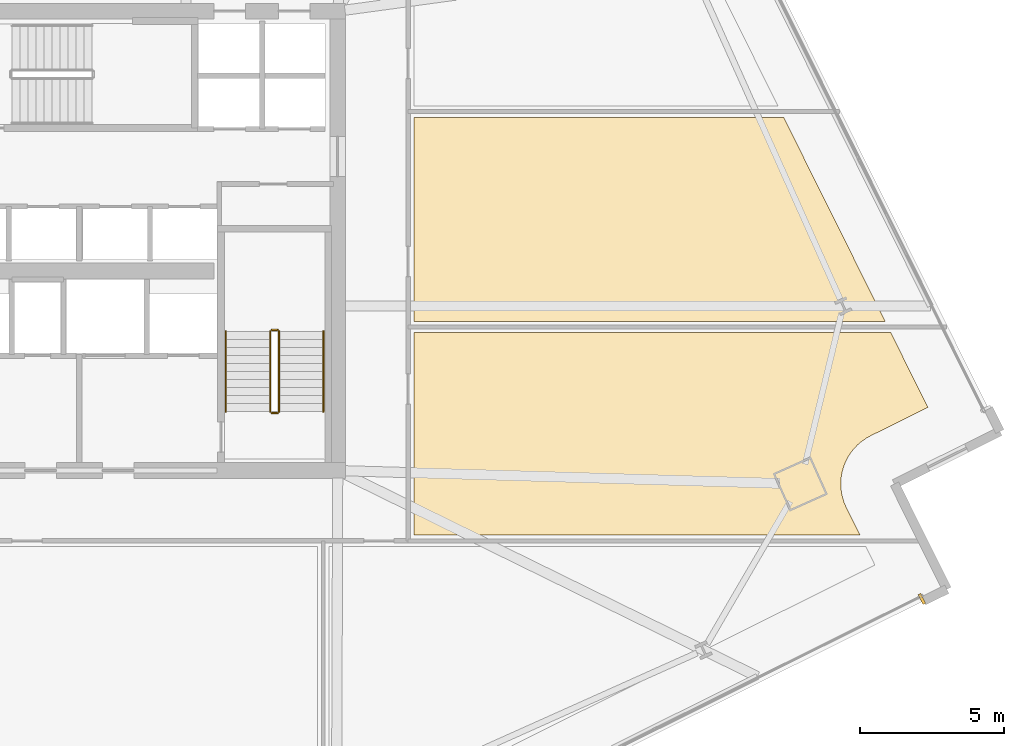
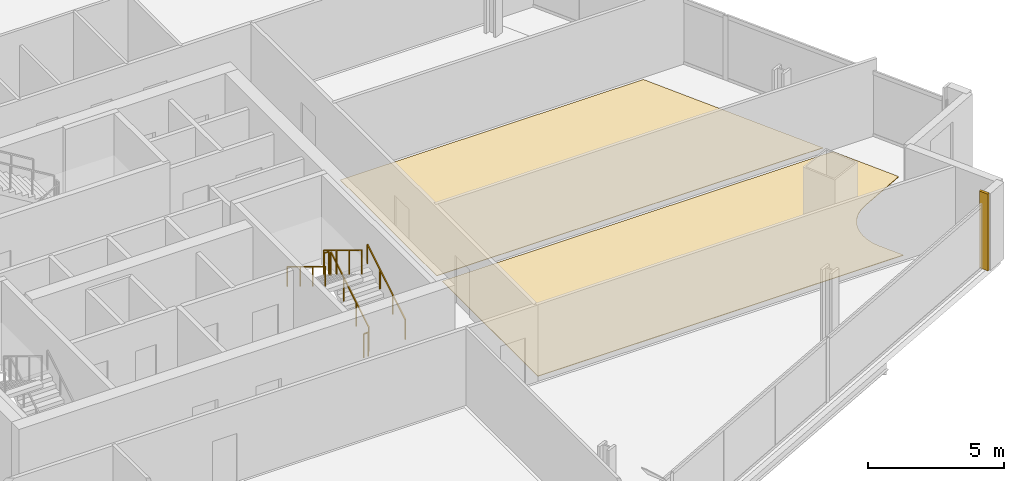
# One storey, part 31 of 35: 6 railings, 3 coverings.
"""IFC4 building model written with IfcOpenShell, lengths in metres."""

from ifc_helpers import new_model, si_unit, direction, frame, origin, origin_2d, place, context, subcontext, project, spatial, polyline, rectangle, outline, extrude, source, transform, mapped, material, layer, layer_set, type_object, element, save


model = new_model("IFC4")

# Units and contexts
model_context = context("Model", 3, precision=1e-05, world=origin(), true_north=direction((0.0, 1.0)))
body_context = subcontext(model_context, "Body", "Model", "MODEL_VIEW")
ifc_project = project(units=[si_unit("LENGTHUNIT", "METRE"), si_unit("AREAUNIT", "SQUARE_METRE"), si_unit("VOLUMEUNIT", "CUBIC_METRE"), si_unit("PLANEANGLEUNIT", "RADIAN"), si_unit("MASSUNIT", "GRAM", prefix="KILO")], contexts=[model_context])

# Site, building, storey
site_placement = place(None, origin())
site = spatial("IfcSite", under=ifc_project, at=site_placement, CompositionType="ELEMENT")
building_placement = place(site_placement, origin())
building = spatial("IfcBuilding", under=site, at=building_placement, Name="Haldenkirk Collegiate Tower", CompositionType="ELEMENT")
storey_placement = place(building_placement, frame((0.0, 0.0, 116.699951171875)))
storey = spatial("IfcBuildingStorey", under=building, at=storey_placement, Name="L28", CompositionType="ELEMENT", Elevation=116.699951171875)

# Coverings
ifc_material_1 = material(Name="Polished collegiate terrazzo", Category="concrete")
ifc_layer_1 = layer(ifc_material_1, 0.02490234375)
ifc_layer_set_1 = layer_set([ifc_layer_1], Name="Polished collegiate terrazzo")
covering_type_1 = type_object("IfcCoveringType", Name="COV-FLOOR-TERRAZZO", PredefinedType="FLOORING", material=ifc_layer_set_1)
covering_1_placement = place(storey_placement, origin())
element("IfcCovering", 1, at=covering_1_placement, inside=storey, type_object=covering_type_1, Name="L28 academic room finish 10", PredefinedType="FLOORING", context=body_context, shape_type="SweptSolid", body=[
    extrude(outline(polyline([(63.559326171875, 19.209716796875), (63.55419921875, 19.206787109375), (63.404296875, 19.123046875), (63.394287109375, 19.11669921875), (63.25341796875, 19.018310546875), (63.244140625, 19.01123046875), (63.113525390625, 18.899658203125), (63.10498046875, 18.8916015625), (62.986083984375, 18.767822265625), (62.978271484375, 18.759033203125), (62.8720703125, 18.6240234375), (62.865234375, 18.614501953125), (62.772705078125, 18.4697265625), (62.766845703125, 18.45947265625), (62.68896484375, 18.306396484375), (62.68408203125, 18.2958984375), (62.621337890625, 18.1357421875), (62.61767578125, 18.124755859375), (62.571044921875, 17.95947265625), (62.568603515625, 17.94775390625), (62.538330078125, 17.77880859375), (62.536865234375, 17.76708984375), (62.5234375, 17.595947265625), (62.52294921875, 17.584228515625), (62.526611328125, 17.41259765625), (62.52734375, 17.40087890625), (62.547607421875, 17.230224609375), (62.549560546875, 17.218505859375), (62.586181640625, 17.05078125), (62.58935546875, 17.03955078125), (62.642578125, 16.876220703125), (62.646728515625, 16.865234375), (62.715576171875, 16.707763671875), (62.718017578125, 16.702392578125), (63.19189453125, 15.75), (47.64990234375, 15.75), (47.64990234375, 22.800048828125), (64.263916015625, 22.800048828125), (65.555908203125, 20.202880859375), (63.559326171875, 19.209716796875)])), origin(), (0.0, 0.0, 1.0), 0.025146484375),
])
ifc_material_2 = material(Name="Engineered collegiate oak acoustic flooring", Category="wood")
ifc_layer_2 = layer(ifc_material_2, 0.02197265625)
ifc_layer_set_2 = layer_set([ifc_layer_2], Name="Engineered collegiate oak acoustic flooring")
covering_type_2 = type_object("IfcCoveringType", Name="COV-FLOOR-TIMBER", PredefinedType="FLOORING", material=ifc_layer_set_2)
covering_2_placement = place(storey_placement, origin())
element("IfcCovering", 2, at=covering_2_placement, inside=storey, type_object=covering_type_2, Name="L28 academic room finish 11", PredefinedType="FLOORING", context=body_context, shape_type="SweptSolid", body=[
    extrude(outline(polyline([(64.06494140625, 23.199951171875), (47.64990234375, 23.199951171875), (47.64990234375, 30.300048828125), (60.53271484375, 30.300048828125), (64.06494140625, 23.199951171875)])), origin(), (0.0, 0.0, 1.0), 0.02197265625),
])

# Railings
ifc_material_3 = material(Name="Painted architectural tubular steel", Category="steel")
railing_type_1 = type_object("IfcRailingType", Name="RLG-STAIR-GUARD-1100", PredefinedType="BALUSTRADE", material=ifc_material_3)
railing_1_placement = place(storey_placement, frame((42.949951171875, 20.050048828125, 0.17041015625)))
element("IfcRailing", 3, at=railing_1_placement, inside=storey, type_object=railing_type_1, Name="L28 ST-2 stair guard 1", PredefinedType="BALUSTRADE", context=body_context, shape_type="SweptSolid", body=[
    extrude(rectangle(XDim=0.048095703125, YDim=0.048095703125, at=origin_2d()), frame((0.0, 0.0, 1.076171875), z_axis=(0.0, 0.854169791009, 0.51999420009), x_axis=(-1.0, 0.0, 0.0)), (0.0, 0.0, 1.0), 3.278076171875),
    extrude(rectangle(XDim=0.0419921875, YDim=0.0419921875, at=origin_2d()), origin(), (0.0, 0.0, 1.0), 1.052001953125),
    extrude(rectangle(XDim=0.0419921875, YDim=0.0419921875, at=origin_2d()), frame((0.0, 0.933349609375, 0.568115234375)), (0.0, 0.0, 1.0), 1.052001953125),
    extrude(rectangle(XDim=0.0419921875, YDim=0.0419921875, at=origin_2d()), frame((0.0, 1.86669921875, 1.136474609375)), (0.0, 0.0, 1.0), 1.052001953125),
    extrude(rectangle(XDim=0.0419921875, YDim=0.0419921875, at=origin_2d()), frame((0.0, 2.800048828125, 1.70458984375)), (0.0, 0.0, 1.0), 1.052001953125),
])
railing_2_placement = place(storey_placement, frame((42.89990234375, 22.89990234375, 1.875)))
element("IfcRailing", 4, at=railing_2_placement, inside=storey, type_object=railing_type_1, Name="L28 ST-2 stair guard 2", PredefinedType="BALUSTRADE", context=body_context, shape_type="SweptSolid", body=[
    extrude(rectangle(XDim=0.048095703125, YDim=0.048095703125, at=origin_2d()), frame((0.0, 0.0, 1.076171875), z_axis=(-1.0, 0.0, 0.0), x_axis=(0.0, -1.0, 0.0)), (0.0, 0.0, 1.0), 0.199951171875),
    extrude(rectangle(XDim=0.0419921875, YDim=0.0419921875, at=origin_2d()), origin(), (0.0, 0.0, 1.0), 1.052001953125),
    extrude(rectangle(XDim=0.0419921875, YDim=0.0419921875, at=origin_2d()), frame((-0.199951171875, 0.0, 0.0)), (0.0, 0.0, 1.0), 1.052001953125),
])
railing_3_placement = place(storey_placement, frame((42.64990234375, 22.85009765625, 2.04541015625)))
element("IfcRailing", 5, at=railing_3_placement, inside=storey, type_object=railing_type_1, Name="L28 ST-2 stair guard 3", PredefinedType="BALUSTRADE", context=body_context, shape_type="SweptSolid", body=[
    extrude(rectangle(XDim=0.048095703125, YDim=0.048095703125, at=origin_2d()), frame((0.0, 0.0, 1.076171875), z_axis=(0.0, -0.854169791009, 0.51999420009), x_axis=(1.0, 0.0, 0.0)), (0.0, 0.0, 1.0), 3.278076171875),
    extrude(rectangle(XDim=0.0419921875, YDim=0.0419921875, at=origin_2d()), origin(), (0.0, 0.0, 1.0), 1.052001953125),
    extrude(rectangle(XDim=0.0419921875, YDim=0.0419921875, at=origin_2d()), frame((0.0, -0.933349609375, 0.568115234375)), (0.0, 0.0, 1.0), 1.052001953125),
    extrude(rectangle(XDim=0.0419921875, YDim=0.0419921875, at=origin_2d()), frame((0.0, -1.86669921875, 1.136474609375)), (0.0, 0.0, 1.0), 1.052001953125),
    extrude(rectangle(XDim=0.0419921875, YDim=0.0419921875, at=origin_2d()), frame((0.0, -2.800048828125, 1.70458984375)), (0.0, 0.0, 1.0), 1.052001953125),
])
railing_4_placement = place(storey_placement, frame((42.89990234375, 20.0, 0.0)))
element("IfcRailing", 6, at=railing_4_placement, inside=storey, type_object=railing_type_1, Name="L28 ST-2 stair guard 4", PredefinedType="BALUSTRADE", context=body_context, shape_type="SweptSolid", body=[
    extrude(rectangle(XDim=0.048095703125, YDim=0.048095703125, at=origin_2d()), frame((0.0, 0.0, 1.076171875), z_axis=(-1.0, 0.0, 0.0), x_axis=(0.0, -1.0, 0.0)), (0.0, 0.0, 1.0), 0.199951171875),
    extrude(rectangle(XDim=0.0419921875, YDim=0.0419921875, at=origin_2d()), origin(), (0.0, 0.0, 1.0), 1.052001953125),
    extrude(rectangle(XDim=0.0419921875, YDim=0.0419921875, at=origin_2d()), frame((-0.199951171875, 0.0, 0.0)), (0.0, 0.0, 1.0), 1.052001953125),
])
railing_type_2 = type_object("IfcRailingType", Name="RLG-STAIR-HANDRAIL-900", PredefinedType="HANDRAIL", material=ifc_material_3)
railing_5_placement = place(storey_placement, frame((44.5, 20.050048828125, 0.17041015625)))
element("IfcRailing", 7, at=railing_5_placement, inside=storey, type_object=railing_type_2, Name="L28 ST-2 stair handrail 1", PredefinedType="HANDRAIL", context=body_context, shape_type="SweptSolid", body=[
    extrude(rectangle(XDim=0.048095703125, YDim=0.048095703125, at=origin_2d()), frame((0.0, 0.0, 0.8759765625), z_axis=(0.0, 0.854169791009, 0.51999420009), x_axis=(-1.0, 0.0, 0.0)), (0.0, 0.0, 1.0), 3.278076171875),
    extrude(rectangle(XDim=0.0419921875, YDim=0.0419921875, at=origin_2d()), origin(), (0.0, 0.0, 1.0), 0.851806640625),
    extrude(rectangle(XDim=0.0419921875, YDim=0.0419921875, at=origin_2d()), frame((0.0, 0.933349609375, 0.568115234375)), (0.0, 0.0, 1.0), 0.851806640625),
    extrude(rectangle(XDim=0.0419921875, YDim=0.0419921875, at=origin_2d()), frame((0.0, 1.86669921875, 1.136474609375)), (0.0, 0.0, 1.0), 0.851806640625),
    extrude(rectangle(XDim=0.0419921875, YDim=0.0419921875, at=origin_2d()), frame((0.0, 2.800048828125, 1.70458984375)), (0.0, 0.0, 1.0), 0.851806640625),
])
railing_6_placement = place(storey_placement, frame((41.10009765625, 22.85009765625, 2.04541015625)))
element("IfcRailing", 8, at=railing_6_placement, inside=storey, type_object=railing_type_2, Name="L28 ST-2 stair handrail 2", PredefinedType="HANDRAIL", context=body_context, shape_type="SweptSolid", body=[
    extrude(rectangle(XDim=0.048095703125, YDim=0.048095703125, at=origin_2d()), frame((0.0, 0.0, 0.8759765625), z_axis=(0.0, -0.854169791009, 0.51999420009), x_axis=(1.0, 0.0, 0.0)), (0.0, 0.0, 1.0), 3.278076171875),
    extrude(rectangle(XDim=0.0419921875, YDim=0.0419921875, at=origin_2d()), origin(), (0.0, 0.0, 1.0), 0.851806640625),
    extrude(rectangle(XDim=0.0419921875, YDim=0.0419921875, at=origin_2d()), frame((0.0, -0.933349609375, 0.568115234375)), (0.0, 0.0, 1.0), 0.851806640625),
    extrude(rectangle(XDim=0.0419921875, YDim=0.0419921875, at=origin_2d()), frame((0.0, -1.86669921875, 1.136474609375)), (0.0, 0.0, 1.0), 0.851806640625),
    extrude(rectangle(XDim=0.0419921875, YDim=0.0419921875, at=origin_2d()), frame((0.0, -2.800048828125, 1.70458984375)), (0.0, 0.0, 1.0), 0.851806640625),
])

# Covering
ifc_material_4 = material(Name="Anodised architectural bronze aluminium", Category="aluminium")
ifc_layer_3 = layer(ifc_material_4, 0.06005859375)
ifc_layer_set_3 = layer_set([ifc_layer_3], Name="Anodised architectural bronze aluminium")
covering_type_3 = type_object("IfcCoveringType", Name="COV-CLAD-BRONZE-60", PredefinedType="CLADDING", material=ifc_layer_set_3)
shared_shape = source(origin(), body_context, "Body", "SweptSolid", [
    extrude(rectangle(XDim=0.10009765625, YDim=0.3798828125, at=origin_2d()), origin(), (0.0, 0.0, 1.0), 3.449951171875),
])
covering_3_placement = place(storey_placement, frame((65.345703125, 13.53076171875, 0.0), z_axis=(0.0, 0.0, 1.0), x_axis=(-0.895323401835, -0.445416665749, 0.0)))
element("IfcCovering", 9, at=covering_3_placement, inside=storey, type_object=covering_type_3, Name="L28 recessed curtain-wall bronze jamb closure SJL", PredefinedType="CLADDING", context=body_context, shape_type="MappedRepresentation", body=[
    mapped(shared_shape, transform((0.0, 0.0, 0.0), x_axis=(1.0, 0.0, 0.0), y_axis=(0.0, 1.0, 0.0), z_axis=(0.0, 0.0, 1.0), scale=1.0)),
])

save(model, "model.ifc")
